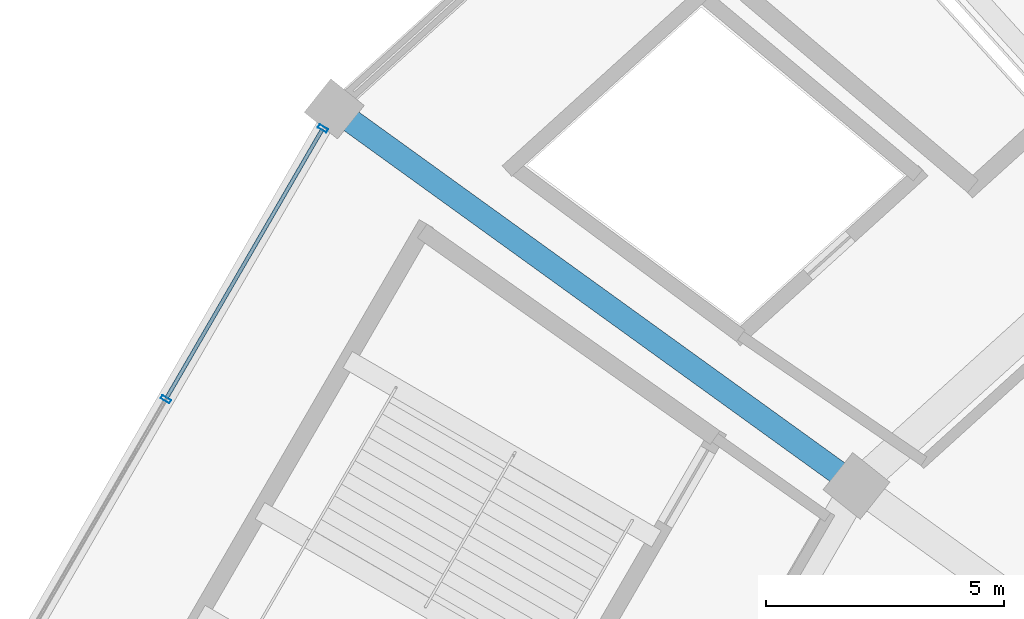
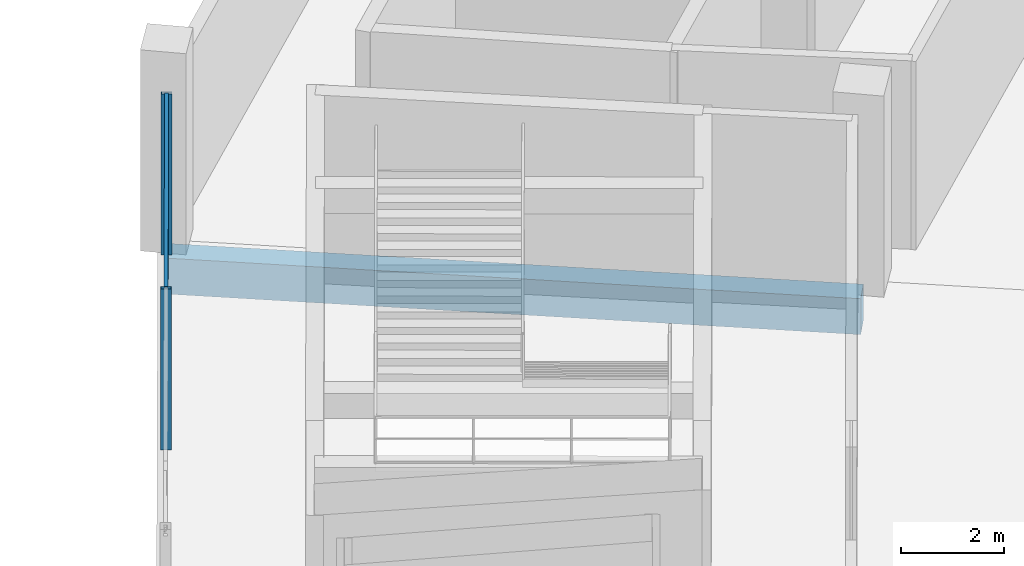
# One storey, part 77 of 171: 4 members, 1 beam, 1 element without a shape of its own.
"""IFC4 building model written with IfcOpenShell, lengths in metres."""

import ifcopenshell
import ifcopenshell.guid

model = None  # the IFC model being written
_history = None  # IfcOwnerHistory: only IFC2X3 demands one
_inside = {}  # id of a spatial element -> (the spatial element, [elements in it])
_under = {}  # id of a project, library or spatial element -> (it, [spatial elements below it])
_declared = {}  # id of a project -> (the project, [libraries it declares])
_typed = {}  # id of a type object -> (the type object, [elements of that type])
_made_of = {}  # id of a material, layer set ... -> (it, [elements and type objects made of it])


def new_model(schema):
    """Start an empty IFC model of exactly this schema.

    Asked for "IFC4X3", IfcOpenShell would pick the latest addendum, in which some entities
    have other attributes; the version numbers below select the first issue.
    IFC2X3 requires an IfcOwnerHistory on every rooted entity: one is made here for all.
    """
    global model, _history
    if schema == "IFC4X3":
        model = ifcopenshell.file(schema_version=(4, 3, 0, 0))
    else:
        model = ifcopenshell.file(schema=schema)
    _inside.clear()
    _under.clear()
    _declared.clear()
    _typed.clear()
    _made_of.clear()
    _history = None
    if model.schema == "IFC2X3":
        org = make("IfcOrganization", Name="unknown")
        user = make(
            "IfcPersonAndOrganization",
            ThePerson=make("IfcPerson", FamilyName="unknown"),
            TheOrganization=org,
        )
        app = make(
            "IfcApplication",
            ApplicationDeveloper=org,
            Version="unknown",
            ApplicationFullName="unknown",
            ApplicationIdentifier="unknown",
        )
        _history = make(
            "IfcOwnerHistory",
            OwningUser=user,
            OwningApplication=app,
            ChangeAction="ADDED",
            CreationDate=0,
        )
    return model


def make(cls, **values):
    """One entity of the class cls with the attributes given. An attribute that is None is left unset."""
    return model.create_entity(
        cls, **{name: value for name, value in values.items() if value is not None}
    )


def rooted(cls, **values):
    """An entity with a GlobalId (a new one), such as an element, a storey or a relation."""
    return make(cls, GlobalId=ifcopenshell.guid.new(), OwnerHistory=_history, **values)


def si_unit(unit_type, name, prefix=None):
    """IfcSIUnit, for example si_unit("LENGTHUNIT", "METRE", prefix="MILLI")."""
    return make("IfcSIUnit", UnitType=unit_type, Prefix=prefix, Name=name)


def assignment(units):
    """IfcUnitAssignment: the units of a project."""
    return None if units is None else make("IfcUnitAssignment", Units=units)


def point(xyz):
    """IfcCartesianPoint."""
    return None if xyz is None else make("IfcCartesianPoint", Coordinates=xyz)


def direction(xyz):
    """IfcDirection."""
    return None if xyz is None else make("IfcDirection", DirectionRatios=xyz)


def frame(location, z_axis=None, x_axis=None):
    """IfcAxis2Placement3D, a coordinate frame: its origin and axes. An axis left out is left unset."""
    return make(
        "IfcAxis2Placement3D",
        Location=point(location),
        Axis=direction(z_axis),
        RefDirection=direction(x_axis),
    )


def frame_2d(location, x_axis=None):
    """IfcAxis2Placement2D, a coordinate frame in the plane: its origin and x axis."""
    return make(
        "IfcAxis2Placement2D", Location=point(location), RefDirection=direction(x_axis)
    )


def origin():
    """The frame at (0, 0, 0) with its axes left unset."""
    return frame((0.0, 0.0, 0.0))


def origin_2d():
    """The frame at (0, 0) in the plane with its x axis left unset."""
    return frame_2d((0.0, 0.0))


def place(relative_to, where):
    """IfcLocalPlacement: puts the frame where relative to a parent placement (None: the world)."""
    return make(
        "IfcLocalPlacement", PlacementRelTo=relative_to, RelativePlacement=where
    )


def context(
    kind, dimensions, precision=None, world=None, true_north=None, identifier=None
):
    """IfcGeometricRepresentationContext, for example the 3D "Model" context."""
    return make(
        "IfcGeometricRepresentationContext",
        ContextIdentifier=identifier,
        ContextType=kind,
        CoordinateSpaceDimension=dimensions,
        Precision=precision,
        WorldCoordinateSystem=world,
        TrueNorth=true_north,
    )


def subcontext(parent, identifier, kind, view, scale=None):
    """IfcGeometricRepresentationSubContext, for example "Body" below "Model"."""
    return make(
        "IfcGeometricRepresentationSubContext",
        ContextIdentifier=identifier,
        ContextType=kind,
        ParentContext=parent,
        TargetScale=scale,
        TargetView=view,
    )


def project(units=None, contexts=None):
    """IfcProject with its units and contexts."""
    return rooted(
        "IfcProject",
        Name="project",
        RepresentationContexts=contexts,
        UnitsInContext=assignment(units),
    )


def spatial(cls, under=None, at=None, **own):
    """A site, building, storey or space (cls), placed at a placement, below another one or the project."""
    s = rooted(cls, ObjectPlacement=at, **own)
    if under is not None:
        _under.setdefault(under.id(), (under, []))[1].append(s)
    return s


def profile(cls, at=None, kind="AREA", **sizes):
    """A parametric profile (cls). Its sizes go by their IFC names, for example OverallWidth=200.0."""
    return make(cls, ProfileType=kind, Position=at, **sizes)


def rectangle(**sizes):
    """IfcRectangleProfileDef."""
    return profile("IfcRectangleProfileDef", **sizes)


def hollow_rectangle(**sizes):
    """IfcRectangleHollowProfileDef."""
    return profile("IfcRectangleHollowProfileDef", **sizes)


def extrude(swept, where, along, depth):
    """IfcExtrudedAreaSolid: the profile swept, set in the frame where, extruded along a direction by depth."""
    return make(
        "IfcExtrudedAreaSolid",
        SweptArea=swept,
        Position=where,
        ExtrudedDirection=direction(along),
        Depth=depth,
    )


def shape(context_of_items, identifier, shape_type, items):
    """IfcShapeRepresentation: the items that make up one representation, for example the "Body"."""
    return make(
        "IfcShapeRepresentation",
        ContextOfItems=context_of_items,
        RepresentationIdentifier=identifier,
        RepresentationType=shape_type,
        Items=items,
    )


def material(Name=None, Category=None):
    """IfcMaterial."""
    return make("IfcMaterial", Name=Name, Category=Category)


def layer(
    of_material, thickness, ventilated=None, Name=None, Category=None, Priority=None
):
    """IfcMaterialLayer: one layer of a wall or slab, of a material (None: an air gap)."""
    return make(
        "IfcMaterialLayer",
        Material=of_material,
        LayerThickness=thickness,
        IsVentilated=ventilated,
        Name=Name,
        Category=Category,
        Priority=Priority,
    )


def layer_set(layers, Name=None):
    """IfcMaterialLayerSet."""
    return make("IfcMaterialLayerSet", MaterialLayers=layers, LayerSetName=Name)


def material_profile(
    of_material, cross_section, Name=None, Category=None, Priority=None
):
    """IfcMaterialProfile: a cross section and its material."""
    return make(
        "IfcMaterialProfile",
        Name=Name,
        Material=of_material,
        Profile=cross_section,
        Priority=Priority,
        Category=Category,
    )


def profile_set(profiles, Name=None, composite=None):
    """IfcMaterialProfileSet."""
    return make(
        "IfcMaterialProfileSet",
        Name=Name,
        MaterialProfiles=profiles,
        CompositeProfile=composite,
    )


def made_of(thing, what):
    """Note that an element or type object is made of a material, layer set ...; save() writes the relation."""
    if what is not None:
        _made_of.setdefault(what.id(), (what, []))[1].append(thing)
    return thing


def type_object(cls, material=None, **own):
    """A type object (cls), such as IfcWallType, which elements share."""
    return made_of(rooted(cls, **own), material)


def element(
    cls,
    number,
    at=None,
    inside=None,
    cuts=None,
    type_object=None,
    material=None,
    context=None,
    identifier="Body",
    shape_type=None,
    held_by="IfcProductDefinitionShape",
    body=None,
    shapes=None,
    **own,
):
    """One element of the class cls, such as IfcWall. Its Tag is "e" and its number.

    at: its placement. inside: the storey or other place that contains it. cuts: it is an
    opening in that element (IfcRelVoidsElement). A single representation is given by context,
    identifier, shape_type and body (its items); several are given by shapes. held_by: the class
    of the entity that holds the representations. save() writes the other relations.
    """
    e = rooted(cls, Tag="e%d" % number, ObjectPlacement=at, **own)
    if body is not None:
        shapes = [shape(context, identifier, shape_type, body)]
    if shapes is not None:
        e.Representation = make(held_by, Representations=shapes)
    if inside is not None:
        _inside.setdefault(inside.id(), (inside, []))[1].append(e)
    if cuts is not None:
        rooted(
            "IfcRelVoidsElement", RelatingBuildingElement=cuts, RelatedOpeningElement=e
        )
    if type_object is not None:
        _typed.setdefault(type_object.id(), (type_object, []))[1].append(e)
    return made_of(e, material)


def aggregate(whole, parts):
    """IfcRelAggregates: a whole, such as a stair, and the parts it consists of."""
    return rooted("IfcRelAggregates", RelatingObject=whole, RelatedObjects=parts)


def save(model, path):
    """Write the relations noted so far, then the file.

    IfcRelAggregates (storeys below a building ...), IfcRelContainedInSpatialStructure (elements
    in a storey), IfcRelDefinesByType, IfcRelAssociatesMaterial and IfcRelDeclares: one each for
    every whole, place, type object, material and project.
    """
    for whole, parts in _under.values():
        aggregate(whole, parts)
    for where, things in _inside.values():
        rooted(
            "IfcRelContainedInSpatialStructure",
            RelatedElements=things,
            RelatingStructure=where,
        )
    for kind, things in _typed.values():
        rooted("IfcRelDefinesByType", RelatedObjects=things, RelatingType=kind)
    for what, things in _made_of.values():
        rooted("IfcRelAssociatesMaterial", RelatedObjects=things, RelatingMaterial=what)
    for by, libraries in _declared.values():
        rooted("IfcRelDeclares", RelatingContext=by, RelatedDefinitions=libraries)
    model.write(path)


model = new_model("IFC4")

# Units and contexts
model_context = context("Model", 3, precision=1e-05, world=origin(), true_north=direction((0.0, 1.0)))
body_context = subcontext(model_context, "Body", "Model", "MODEL_VIEW")
ifc_project = project(units=[si_unit("LENGTHUNIT", "METRE"), si_unit("AREAUNIT", "SQUARE_METRE"), si_unit("VOLUMEUNIT", "CUBIC_METRE"), si_unit("PLANEANGLEUNIT", "RADIAN"), si_unit("MASSUNIT", "GRAM", prefix="KILO")], contexts=[model_context])

# Site, building, storey
site_placement = place(None, origin())
site = spatial("IfcSite", under=ifc_project, at=site_placement, CompositionType="ELEMENT")
building_placement = place(site_placement, origin())
building = spatial("IfcBuilding", under=site, at=building_placement, Name="Kazemori Nagisa Stadium", CompositionType="ELEMENT")
storey_placement = place(building_placement, frame((0.0, 0.0, 15.639892578125)))
storey = spatial("IfcBuildingStorey", under=building, at=storey_placement, Name="L03", CompositionType="ELEMENT", Elevation=15.639892578125)

# Beam
ifc_material_1 = material(Name="Concrete C40/50 (Fc42)", Category="concrete")
ifc_material_profile_1 = material_profile(ifc_material_1, rectangle(XDim=0.5, YDim=0.85009765625, at=origin_2d()), Name="RC-BM-500x850")
ifc_profile_set_1 = profile_set([ifc_material_profile_1], Name="Concrete C40/50 (Fc42)")
beam_type = type_object("IfcBeamType", Name="Beam_BG-RC500X850", PredefinedType="BEAM", material=ifc_profile_set_1)
beam_placement = place(storey_placement, frame((55.493896484375, 150.734130859375, -0.684814453125), z_axis=(-0.810787509935, 0.585340596349, 0.0), x_axis=(-0.585340596349, -0.810787509935, 0.0)))
element("IfcBeam", 1, at=beam_placement, inside=storey, type_object=beam_type, Name="Radial girder BG-RC500X850 L03 R2-R3-12", PredefinedType="BEAM", context=body_context, shape_type="SweptSolid", body=[
    extrude(rectangle(XDim=0.5, YDim=0.85009765625, at=origin_2d()), origin(), (0.0, 0.0, 1.0), 13.5537109375),
])

# Curtain wall, members
ifc_material_2 = material(Name="Anodised aluminium 6063-T5", Category="aluminium")
ifc_layer = layer(ifc_material_2, 0.2099609375, Name="Anodised aluminium 6063-T5", Category="aluminium")
ifc_layer_set = layer_set([ifc_layer], Name="Anodised aluminium 6063-T5")
curtain_wall_type = type_object("IfcCurtainWallType", Name="CW_L03R3_99", PredefinedType="USERDEFINED", material=ifc_layer_set)
curtain_wall_placement = place(storey_placement, origin())
curtain_wall = element("IfcCurtainWall", 2, at=curtain_wall_placement, inside=storey, type_object=curtain_wall_type, Name="Unitised curtain wall CW-L03R3-99 L03", ObjectType="UNITISED CURTAIN WALL", PredefinedType="USERDEFINED")
ifc_material_3 = material(Name="Aluminium 6063-T5 anodised", Category="aluminium")
ifc_material_profile_2 = material_profile(ifc_material_3, hollow_rectangle(XDim=0.080078125, YDim=0.2099609375, WallThickness=0.0048828125, at=origin_2d()), Name="ALU-MULL-80x210x5")
ifc_profile_set_2 = profile_set([ifc_material_profile_2], Name="Aluminium 6063-T5 anodised")
member_type_1 = type_object("IfcMemberType", Name="Mullion_M02", PredefinedType="MULLION", material=ifc_profile_set_2)
member_1_placement = place(storey_placement, frame((44.266357421875, 158.2568359375, 0.0), z_axis=(0.0, 0.0, 1.0), x_axis=(-0.501611590054, -0.865092950337, 0.0)))
member_1 = element("IfcMember", 3, at=member_1_placement, type_object=member_type_1, Name="Curtain wall mullion CW-L03R3-99-M1", PredefinedType="MULLION", context=body_context, shape_type="SweptSolid", body=[
    extrude(hollow_rectangle(XDim=0.080078125, YDim=0.2099609375, WallThickness=0.0048828125, at=origin_2d()), origin(), (0.0, 0.0, 1.0), 3.81005859375),
])
member_2_placement = place(storey_placement, frame((40.9619140625, 152.557861328125, 0.0), z_axis=(0.0, 0.0, 1.0), x_axis=(-0.501611590054, -0.865092950337, 0.0)))
member_2 = element("IfcMember", 4, at=member_2_placement, type_object=member_type_1, Name="Curtain wall mullion CW-L03R3-99-M2", PredefinedType="MULLION", context=body_context, shape_type="SweptSolid", body=[
    extrude(hollow_rectangle(XDim=0.080078125, YDim=0.2099609375, WallThickness=0.0048828125, at=origin_2d()), origin(), (0.0, 0.0, 1.0), 3.81005859375),
])
ifc_material_profile_3 = material_profile(ifc_material_3, hollow_rectangle(XDim=0.080078125, YDim=0.159912109375, WallThickness=0.00390625, at=origin_2d()), Name="ALU-TRAN-80x160x4")
ifc_profile_set_3 = profile_set([ifc_material_profile_3], Name="Aluminium 6063-T5 anodised")
member_type_2 = type_object("IfcMemberType", Name="Transom_T02", PredefinedType="USERDEFINED", material=ifc_profile_set_3)
member_3_placement = place(storey_placement, frame((44.25634765625, 158.239501953125, 2.705322265625), z_axis=(-0.501590295943, -0.865105297069, 0.0), x_axis=(0.865105297069, -0.501590295943, 0.0)))
member_3 = element("IfcMember", 5, at=member_3_placement, type_object=member_type_2, Name="Curtain wall transom CW-L03R3-99-T1-mid", ObjectType="TRANSOM", PredefinedType="USERDEFINED", context=body_context, shape_type="SweptSolid", body=[
    extrude(hollow_rectangle(XDim=0.080078125, YDim=0.159912109375, WallThickness=0.00390625, at=origin_2d()), origin(), (0.0, 0.0, 1.0), 6.547607421875),
])
member_4_placement = place(storey_placement, frame((44.25634765625, 158.239501953125, 3.739990234375), z_axis=(-0.501590295943, -0.865105297069, 0.0), x_axis=(0.865105297069, -0.501590295943, 0.0)))
member_4 = element("IfcMember", 6, at=member_4_placement, type_object=member_type_2, Name="Curtain wall transom CW-L03R3-99-T1-head", ObjectType="TRANSOM", PredefinedType="USERDEFINED", context=body_context, shape_type="SweptSolid", body=[
    extrude(hollow_rectangle(XDim=0.080078125, YDim=0.159912109375, WallThickness=0.00390625, at=origin_2d()), origin(), (0.0, 0.0, 1.0), 6.547607421875),
])
aggregate(curtain_wall, [member_1, member_2, member_3, member_4])

save(model, "model.ifc")
